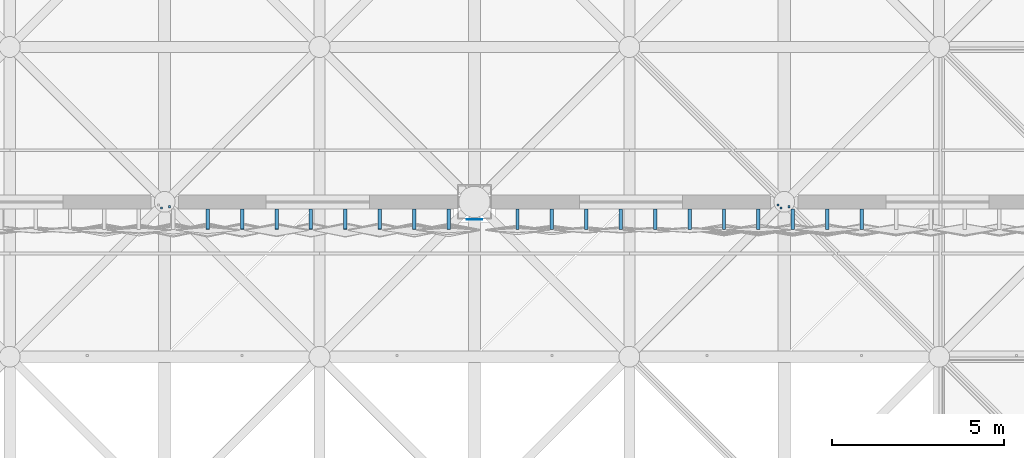
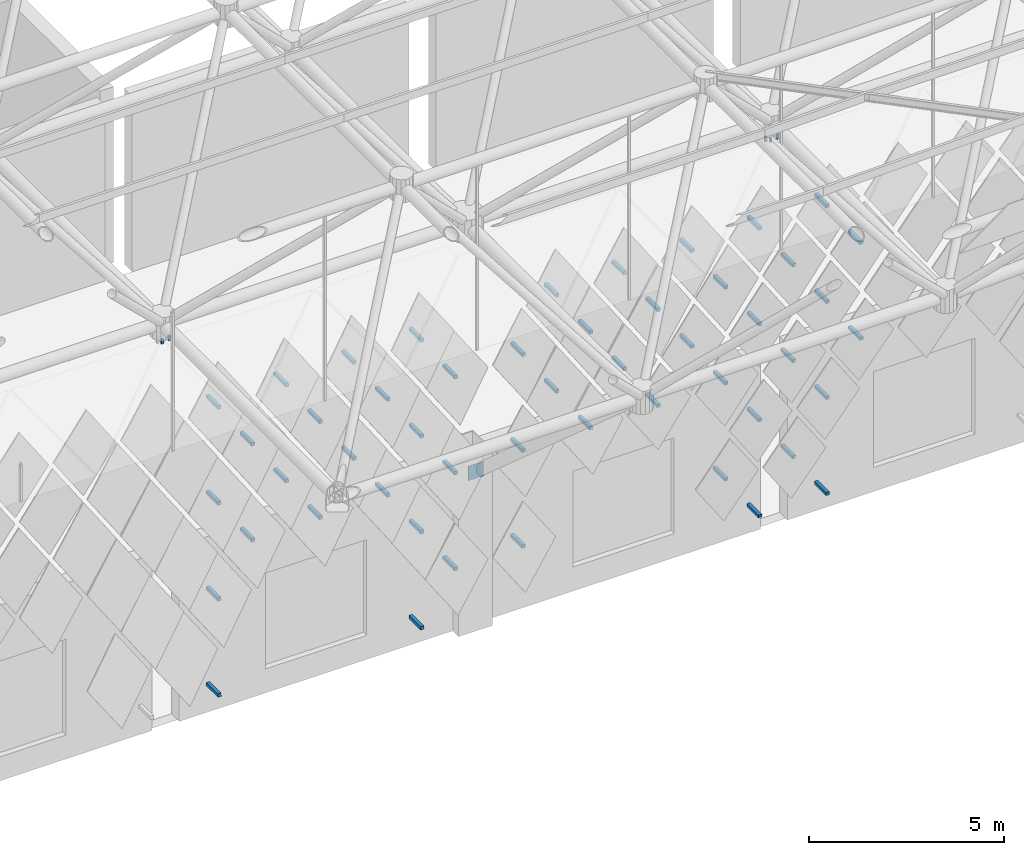
# One storey, part 370 of 437: 56 discrete accessories.
"""IFC4 building model written with IfcOpenShell, lengths in metres."""

from ifc_helpers import new_model, si_unit, direction, frame, origin, place, context, subcontext, project, spatial, polyline, outline, extrude, material, layer, layer_set, type_object, element, save


model = new_model("IFC4")

# Units and contexts
model_context = context("Model", 3, precision=1e-05, world=origin(), true_north=direction((0.0, 1.0)))
body_context = subcontext(model_context, "Body", "Model", "MODEL_VIEW")
ifc_project = project(units=[si_unit("LENGTHUNIT", "METRE"), si_unit("AREAUNIT", "SQUARE_METRE"), si_unit("VOLUMEUNIT", "CUBIC_METRE"), si_unit("PLANEANGLEUNIT", "RADIAN"), si_unit("MASSUNIT", "GRAM", prefix="KILO")], contexts=[model_context])

# Site, building, storey
site_placement = place(None, origin())
site = spatial("IfcSite", under=ifc_project, at=site_placement, CompositionType="ELEMENT")
building_placement = place(site_placement, origin())
building = spatial("IfcBuilding", under=site, at=building_placement, Name="Opaline Strait Convention Centre", CompositionType="ELEMENT")
storey_placement = place(building_placement, frame((0.0, 0.0, 11.5)))
storey = spatial("IfcBuildingStorey", under=building, at=storey_placement, Name="L02", CompositionType="ELEMENT", Elevation=11.5)

# Discrete accessories
ifc_material_1 = material(Name="Structural steel Q355B", Category="steel")
ifc_layer = layer(ifc_material_1, 0.01611328125)
ifc_layer_set = layer_set([ifc_layer], Name="Structural steel Q355B")
discrete_accessory_type_1 = type_object("IfcDiscreteAccessoryType", Name="Prop bearing plate 450 x 450 x 16", PredefinedType="ANCHORPLATE", material=ifc_layer_set)
discrete_accessory_1_placement = place(storey_placement, frame((0.0, 0.0, 4.7890625)))
element("IfcDiscreteAccessory", 1, at=discrete_accessory_1_placement, inside=storey, type_object=discrete_accessory_type_1, Name="Prop bearing plate 207/54 S", PredefinedType="ANCHORPLATE", context=body_context, shape_type="SweptSolid", body=[
    extrude(outline(polyline([(206.77490234375, 53.48388671875), (207.22509765625, 53.48388671875), (207.22509765625, 53.5), (206.77490234375, 53.5), (206.77490234375, 53.48388671875)])), origin(), (0.0, 0.0, 1.0), 0.449951171875),
])
ifc_material_2 = material(Name="Steel Q355B", Category="steel")
discrete_accessory_type_2 = type_object("IfcDiscreteAccessoryType", Name="Soffit hanger 60x60 steel", PredefinedType="BRACKET", material=ifc_material_2)
discrete_accessory_2_placement = place(storey_placement, frame((0.0, 0.0, 11.989990234375)))
element("IfcDiscreteAccessory", 2, at=discrete_accessory_2_placement, inside=storey, type_object=discrete_accessory_type_2, Name="Soffit hanger", PredefinedType="BRACKET", context=body_context, shape_type="SweptSolid", body=[
    extrude(outline(polyline([(197.880859375, 53.791015625), (197.940673828125, 53.791015625), (197.940673828125, 53.85107421875), (197.880859375, 53.85107421875), (197.880859375, 53.791015625)])), origin(), (0.0, 0.0, 1.0), 0.14990234375),
])
discrete_accessory_3_placement = place(storey_placement, frame((0.0, 0.0, 11.989990234375)))
element("IfcDiscreteAccessory", 3, at=discrete_accessory_3_placement, inside=storey, type_object=discrete_accessory_type_2, Name="Soffit hanger", PredefinedType="BRACKET", context=body_context, shape_type="SweptSolid", body=[
    extrude(outline(polyline([(198.111328125, 53.82861328125), (198.17138671875, 53.82861328125), (198.17138671875, 53.888671875), (198.111328125, 53.888671875), (198.111328125, 53.82861328125)])), origin(), (0.0, 0.0, 1.0), 0.14990234375),
])
discrete_accessory_4_placement = place(storey_placement, frame((0.0, 0.0, 11.990234375)))
element("IfcDiscreteAccessory", 4, at=discrete_accessory_4_placement, inside=storey, type_object=discrete_accessory_type_2, Name="Soffit hanger", PredefinedType="BRACKET", context=body_context, shape_type="SweptSolid", body=[
    extrude(outline(polyline([(215.880859375, 53.791015625), (215.940673828125, 53.791015625), (215.940673828125, 53.85107421875), (215.880859375, 53.85107421875), (215.880859375, 53.791015625)])), origin(), (0.0, 0.0, 1.0), 0.149658203125),
])
discrete_accessory_5_placement = place(storey_placement, frame((0.0, 0.0, 11.989990234375)))
element("IfcDiscreteAccessory", 5, at=discrete_accessory_5_placement, inside=storey, type_object=discrete_accessory_type_2, Name="Soffit hanger", PredefinedType="BRACKET", context=body_context, shape_type="SweptSolid", body=[
    extrude(outline(polyline([(215.791015625, 53.880859375), (215.85107421875, 53.880859375), (215.85107421875, 53.940673828125), (215.791015625, 53.940673828125), (215.791015625, 53.880859375)])), origin(), (0.0, 0.0, 1.0), 0.14990234375),
])
discrete_accessory_6_placement = place(storey_placement, frame((0.0, 0.0, 11.990234375)))
element("IfcDiscreteAccessory", 6, at=discrete_accessory_6_placement, inside=storey, type_object=discrete_accessory_type_2, Name="Soffit hanger", PredefinedType="BRACKET", context=body_context, shape_type="SweptSolid", body=[
    extrude(outline(polyline([(216.111328125, 53.82861328125), (216.17138671875, 53.82861328125), (216.17138671875, 53.888671875), (216.111328125, 53.888671875), (216.111328125, 53.82861328125)])), origin(), (0.0, 0.0, 1.0), 0.149658203125),
])
discrete_accessory_type_3 = type_object("IfcDiscreteAccessoryType", Name="Tile bracket 100x100 steel", PredefinedType="BRACKET", material=ifc_material_2)
discrete_accessory_7_placement = place(storey_placement, frame((199.199951171875, 53.800048828125, 0.89208984375), z_axis=(1.0, 0.0, 0.0), x_axis=(0.0, 1.0, 0.0)))
element("IfcDiscreteAccessory", 7, at=discrete_accessory_7_placement, inside=storey, type_object=discrete_accessory_type_3, Name="Tile bracket XT16 S", PredefinedType="BRACKET", context=body_context, shape_type="SweptSolid", body=[
    extrude(outline(polyline([(0.0, -0.050048828125), (0.0, 0.050048828125), (-0.593017578125, 0.050048828125), (-0.60693359375, -0.050048828125), (0.0, -0.050048828125)])), origin(), (0.0, 0.0, 1.0), 0.10009765625),
])
discrete_accessory_8_placement = place(storey_placement, frame((205.199951171875, 53.800048828125, 0.89208984375), z_axis=(1.0, 0.0, 0.0), x_axis=(0.0, 1.0, 0.0)))
element("IfcDiscreteAccessory", 8, at=discrete_accessory_8_placement, inside=storey, type_object=discrete_accessory_type_3, Name="Tile bracket XT06 S", PredefinedType="BRACKET", context=body_context, shape_type="SweptSolid", body=[
    extrude(outline(polyline([(0.0, -0.050048828125), (0.0, 0.050048828125), (-0.597412109375, 0.050048828125), (-0.6025390625, -0.050048828125), (0.0, -0.050048828125)])), origin(), (0.0, 0.0, 1.0), 0.10009765625),
])
discrete_accessory_9_placement = place(storey_placement, frame((215.199951171875, 53.800048828125, 0.89208984375), z_axis=(1.0, 0.0, 0.0), x_axis=(0.0, 1.0, 0.0)))
element("IfcDiscreteAccessory", 9, at=discrete_accessory_9_placement, inside=storey, type_object=discrete_accessory_type_3, Name="Tile bracket XT15 S", PredefinedType="BRACKET", context=body_context, shape_type="SweptSolid", body=[
    extrude(outline(polyline([(0.0, -0.050048828125), (0.0, 0.050048828125), (-0.606689453125, 0.050048828125), (-0.593505859375, -0.050048828125), (0.0, -0.050048828125)])), origin(), (0.0, 0.0, 1.0), 0.10009765625),
])
discrete_accessory_10_placement = place(storey_placement, frame((217.199951171875, 53.800048828125, 0.89208984375), z_axis=(1.0, 0.0, 0.0), x_axis=(0.0, 1.0, 0.0)))
element("IfcDiscreteAccessory", 10, at=discrete_accessory_10_placement, inside=storey, type_object=discrete_accessory_type_3, Name="Tile bracket XT14 S", PredefinedType="BRACKET", context=body_context, shape_type="SweptSolid", body=[
    extrude(outline(polyline([(0.0, -0.050048828125), (0.0, 0.050048828125), (-0.606201171875, 0.050048828125), (-0.59375, -0.050048828125), (0.0, -0.050048828125)])), origin(), (0.0, 0.0, 1.0), 0.10009765625),
])
discrete_accessory_11_placement = place(storey_placement, frame((206.199951171875, 53.800048828125, 2.39208984375), z_axis=(1.0, 0.0, 0.0), x_axis=(0.0, 1.0, 0.0)))
element("IfcDiscreteAccessory", 11, at=discrete_accessory_11_placement, inside=storey, type_object=discrete_accessory_type_3, Name="Tile bracket XT06 S", PredefinedType="BRACKET", context=body_context, shape_type="SweptSolid", body=[
    extrude(outline(polyline([(0.0, -0.050048828125), (0.0, 0.050048828125), (-0.597412109375, 0.050048828125), (-0.6025390625, -0.050048828125), (0.0, -0.050048828125)])), origin(), (0.0, 0.0, 1.0), 0.10009765625),
])
discrete_accessory_12_placement = place(storey_placement, frame((208.199951171875, 53.800048828125, 2.39208984375), z_axis=(1.0, 0.0, 0.0), x_axis=(0.0, 1.0, 0.0)))
element("IfcDiscreteAccessory", 12, at=discrete_accessory_12_placement, inside=storey, type_object=discrete_accessory_type_3, Name="Tile bracket XT05 S", PredefinedType="BRACKET", context=body_context, shape_type="SweptSolid", body=[
    extrude(outline(polyline([(0.0, -0.050048828125), (0.0, 0.050048828125), (-0.597900390625, 0.050048828125), (-0.602294921875, -0.050048828125), (0.0, -0.050048828125)])), origin(), (0.0, 0.0, 1.0), 0.10009765625),
])
discrete_accessory_13_placement = place(storey_placement, frame((214.199951171875, 53.800048828125, 2.39208984375), z_axis=(1.0, 0.0, 0.0), x_axis=(0.0, 1.0, 0.0)))
element("IfcDiscreteAccessory", 13, at=discrete_accessory_13_placement, inside=storey, type_object=discrete_accessory_type_3, Name="Tile bracket XT13 S", PredefinedType="BRACKET", context=body_context, shape_type="SweptSolid", body=[
    extrude(outline(polyline([(0.0, -0.050048828125), (0.0, 0.050048828125), (-0.605712890625, 0.050048828125), (-0.59423828125, -0.050048828125), (0.0, -0.050048828125)])), origin(), (0.0, 0.0, 1.0), 0.10009765625),
])
discrete_accessory_14_placement = place(storey_placement, frame((216.199951171875, 53.800048828125, 2.39208984375), z_axis=(1.0, 0.0, 0.0), x_axis=(0.0, 1.0, 0.0)))
element("IfcDiscreteAccessory", 14, at=discrete_accessory_14_placement, inside=storey, type_object=discrete_accessory_type_3, Name="Tile bracket XT14 S", PredefinedType="BRACKET", context=body_context, shape_type="SweptSolid", body=[
    extrude(outline(polyline([(0.0, -0.050048828125), (0.0, 0.050048828125), (-0.606201171875, 0.050048828125), (-0.59375, -0.050048828125), (0.0, -0.050048828125)])), origin(), (0.0, 0.0, 1.0), 0.10009765625),
])
discrete_accessory_15_placement = place(storey_placement, frame((199.199951171875, 53.800048828125, 3.89208984375), z_axis=(1.0, 0.0, 0.0), x_axis=(0.0, 1.0, 0.0)))
element("IfcDiscreteAccessory", 15, at=discrete_accessory_15_placement, inside=storey, type_object=discrete_accessory_type_3, Name="Tile bracket XT16 S", PredefinedType="BRACKET", context=body_context, shape_type="SweptSolid", body=[
    extrude(outline(polyline([(0.0, -0.050048828125), (0.0, 0.050048828125), (-0.593017578125, 0.050048828125), (-0.60693359375, -0.050048828125), (0.0, -0.050048828125)])), origin(), (0.0, 0.0, 1.0), 0.10009765625),
])
discrete_accessory_16_placement = place(storey_placement, frame((205.199951171875, 53.800048828125, 3.89208984375), z_axis=(1.0, 0.0, 0.0), x_axis=(0.0, 1.0, 0.0)))
element("IfcDiscreteAccessory", 16, at=discrete_accessory_16_placement, inside=storey, type_object=discrete_accessory_type_3, Name="Tile bracket XT11 S", PredefinedType="BRACKET", context=body_context, shape_type="SweptSolid", body=[
    extrude(outline(polyline([(0.0, -0.050048828125), (0.0, 0.050048828125), (-0.59521484375, 0.050048828125), (-0.604736328125, -0.050048828125), (0.0, -0.050048828125)])), origin(), (0.0, 0.0, 1.0), 0.10009765625),
])
discrete_accessory_17_placement = place(storey_placement, frame((215.199951171875, 53.800048828125, 3.89208984375), z_axis=(1.0, 0.0, 0.0), x_axis=(0.0, 1.0, 0.0)))
element("IfcDiscreteAccessory", 17, at=discrete_accessory_17_placement, inside=storey, type_object=discrete_accessory_type_3, Name="Tile bracket XT13 S", PredefinedType="BRACKET", context=body_context, shape_type="SweptSolid", body=[
    extrude(outline(polyline([(0.0, -0.050048828125), (0.0, 0.050048828125), (-0.605712890625, 0.050048828125), (-0.59423828125, -0.050048828125), (0.0, -0.050048828125)])), origin(), (0.0, 0.0, 1.0), 0.10009765625),
])
discrete_accessory_18_placement = place(storey_placement, frame((217.199951171875, 53.800048828125, 3.89208984375), z_axis=(1.0, 0.0, 0.0), x_axis=(0.0, 1.0, 0.0)))
element("IfcDiscreteAccessory", 18, at=discrete_accessory_18_placement, inside=storey, type_object=discrete_accessory_type_3, Name="Tile bracket XT14 S", PredefinedType="BRACKET", context=body_context, shape_type="SweptSolid", body=[
    extrude(outline(polyline([(0.0, -0.050048828125), (0.0, 0.050048828125), (-0.606201171875, 0.050048828125), (-0.59375, -0.050048828125), (0.0, -0.050048828125)])), origin(), (0.0, 0.0, 1.0), 0.10009765625),
])
for number, where, z_axis, x_axis, name in (
    (19, (200.199951171875, 53.800048828125, 5.39208984375), (1.0, 0.0, 0.0), (0.0, 1.0, 0.0), "Tile bracket XT16 S"),
    (20, (202.199951171875, 53.800048828125, 5.39208984375), (1.0, 0.0, 0.0), (0.0, 1.0, 0.0), "Tile bracket XT16 S"),
):
    element("IfcDiscreteAccessory", number, at=place(storey_placement, frame(where, z_axis=z_axis, x_axis=x_axis)), inside=storey, type_object=discrete_accessory_type_3, Name=name, PredefinedType="BRACKET", context=body_context, shape_type="SweptSolid", body=[
        extrude(outline(polyline([(0.0, -0.050048828125), (0.0, 0.050048828125), (-0.593017578125, 0.050048828125), (-0.60693359375, -0.050048828125), (0.0, -0.050048828125)])), origin(), (0.0, 0.0, 1.0), 0.10009765625),
    ])
discrete_accessory_19_placement = place(storey_placement, frame((204.199951171875, 53.800048828125, 5.39208984375), z_axis=(1.0, 0.0, 0.0), x_axis=(0.0, 1.0, 0.0)))
element("IfcDiscreteAccessory", 21, at=discrete_accessory_19_placement, inside=storey, type_object=discrete_accessory_type_3, Name="Tile bracket XT14 S", PredefinedType="BRACKET", context=body_context, shape_type="SweptSolid", body=[
    extrude(outline(polyline([(0.0, -0.050048828125), (0.0, 0.050048828125), (-0.59375, 0.050048828125), (-0.606201171875, -0.050048828125), (0.0, -0.050048828125)])), origin(), (0.0, 0.0, 1.0), 0.10009765625),
])
discrete_accessory_20_placement = place(storey_placement, frame((206.199951171875, 53.800048828125, 5.39208984375), z_axis=(1.0, 0.0, 0.0), x_axis=(0.0, 1.0, 0.0)))
element("IfcDiscreteAccessory", 22, at=discrete_accessory_20_placement, inside=storey, type_object=discrete_accessory_type_3, Name="Tile bracket XT11 S", PredefinedType="BRACKET", context=body_context, shape_type="SweptSolid", body=[
    extrude(outline(polyline([(0.0, -0.050048828125), (0.0, 0.050048828125), (-0.59521484375, 0.050048828125), (-0.604736328125, -0.050048828125), (0.0, -0.050048828125)])), origin(), (0.0, 0.0, 1.0), 0.10009765625),
])
discrete_accessory_21_placement = place(storey_placement, frame((208.199951171875, 53.800048828125, 5.39208984375), z_axis=(1.0, 0.0, 0.0), x_axis=(0.0, 1.0, 0.0)))
element("IfcDiscreteAccessory", 23, at=discrete_accessory_21_placement, inside=storey, type_object=discrete_accessory_type_3, Name="Tile bracket XT06 S", PredefinedType="BRACKET", context=body_context, shape_type="SweptSolid", body=[
    extrude(outline(polyline([(0.0, -0.050048828125), (0.0, 0.050048828125), (-0.597412109375, 0.050048828125), (-0.6025390625, -0.050048828125), (0.0, -0.050048828125)])), origin(), (0.0, 0.0, 1.0), 0.10009765625),
])
discrete_accessory_22_placement = place(storey_placement, frame((210.199951171875, 53.800048828125, 5.39208984375), z_axis=(1.0, 0.0, 0.0), x_axis=(0.0, 1.0, 0.0)))
element("IfcDiscreteAccessory", 24, at=discrete_accessory_22_placement, inside=storey, type_object=discrete_accessory_type_3, Name="Tile bracket XT05 S", PredefinedType="BRACKET", context=body_context, shape_type="SweptSolid", body=[
    extrude(outline(polyline([(0.0, -0.050048828125), (0.0, 0.050048828125), (-0.597900390625, 0.050048828125), (-0.602294921875, -0.050048828125), (0.0, -0.050048828125)])), origin(), (0.0, 0.0, 1.0), 0.10009765625),
])
discrete_accessory_23_placement = place(storey_placement, frame((212.199951171875, 53.800048828125, 5.39208984375), z_axis=(1.0, 0.0, 0.0), x_axis=(0.0, 1.0, 0.0)))
element("IfcDiscreteAccessory", 25, at=discrete_accessory_23_placement, inside=storey, type_object=discrete_accessory_type_3, Name="Tile bracket XT05 S", PredefinedType="BRACKET", context=body_context, shape_type="SweptSolid", body=[
    extrude(outline(polyline([(0.0, -0.050048828125), (0.0, 0.050048828125), (-0.602294921875, 0.050048828125), (-0.597900390625, -0.050048828125), (0.0, -0.050048828125)])), origin(), (0.0, 0.0, 1.0), 0.10009765625),
])
discrete_accessory_24_placement = place(storey_placement, frame((214.199951171875, 53.800048828125, 5.39208984375), z_axis=(1.0, 0.0, 0.0), x_axis=(0.0, 1.0, 0.0)))
element("IfcDiscreteAccessory", 26, at=discrete_accessory_24_placement, inside=storey, type_object=discrete_accessory_type_3, Name="Tile bracket XT09 S", PredefinedType="BRACKET", context=body_context, shape_type="SweptSolid", body=[
    extrude(outline(polyline([(0.0, -0.050048828125), (0.0, 0.050048828125), (-0.60400390625, 0.050048828125), (-0.595947265625, -0.050048828125), (0.0, -0.050048828125)])), origin(), (0.0, 0.0, 1.0), 0.10009765625),
])
discrete_accessory_25_placement = place(storey_placement, frame((216.199951171875, 53.800048828125, 5.39208984375), z_axis=(1.0, 0.0, 0.0), x_axis=(0.0, 1.0, 0.0)))
element("IfcDiscreteAccessory", 27, at=discrete_accessory_25_placement, inside=storey, type_object=discrete_accessory_type_3, Name="Tile bracket XT12 S", PredefinedType="BRACKET", context=body_context, shape_type="SweptSolid", body=[
    extrude(outline(polyline([(0.0, -0.050048828125), (0.0, 0.050048828125), (-0.605224609375, 0.050048828125), (-0.5947265625, -0.050048828125), (0.0, -0.050048828125)])), origin(), (0.0, 0.0, 1.0), 0.10009765625),
])
discrete_accessory_26_placement = place(storey_placement, frame((218.199951171875, 53.800048828125, 5.39208984375), z_axis=(1.0, 0.0, 0.0), x_axis=(0.0, 1.0, 0.0)))
element("IfcDiscreteAccessory", 28, at=discrete_accessory_26_placement, inside=storey, type_object=discrete_accessory_type_3, Name="Tile bracket XT14 S", PredefinedType="BRACKET", context=body_context, shape_type="SweptSolid", body=[
    extrude(outline(polyline([(0.0, -0.050048828125), (0.0, 0.050048828125), (-0.606201171875, 0.050048828125), (-0.59375, -0.050048828125), (0.0, -0.050048828125)])), origin(), (0.0, 0.0, 1.0), 0.10009765625),
])
discrete_accessory_27_placement = place(storey_placement, frame((199.199951171875, 53.800048828125, 6.89208984375), z_axis=(1.0, 0.0, 0.0), x_axis=(0.0, 1.0, 0.0)))
element("IfcDiscreteAccessory", 29, at=discrete_accessory_27_placement, inside=storey, type_object=discrete_accessory_type_3, Name="Tile bracket XT13 S", PredefinedType="BRACKET", context=body_context, shape_type="SweptSolid", body=[
    extrude(outline(polyline([(0.0, -0.050048828125), (0.0, 0.050048828125), (-0.59423828125, 0.050048828125), (-0.605712890625, -0.050048828125), (0.0, -0.050048828125)])), origin(), (0.0, 0.0, 1.0), 0.10009765625),
])
discrete_accessory_28_placement = place(storey_placement, frame((201.199951171875, 53.800048828125, 6.89208984375), z_axis=(1.0, 0.0, 0.0), x_axis=(0.0, 1.0, 0.0)))
element("IfcDiscreteAccessory", 30, at=discrete_accessory_28_placement, inside=storey, type_object=discrete_accessory_type_3, Name="Tile bracket XT15 S", PredefinedType="BRACKET", context=body_context, shape_type="SweptSolid", body=[
    extrude(outline(polyline([(0.0, -0.050048828125), (0.0, 0.050048828125), (-0.593505859375, 0.050048828125), (-0.606689453125, -0.050048828125), (0.0, -0.050048828125)])), origin(), (0.0, 0.0, 1.0), 0.10009765625),
])
discrete_accessory_29_placement = place(storey_placement, frame((203.199951171875, 53.800048828125, 6.89208984375), z_axis=(1.0, 0.0, 0.0), x_axis=(0.0, 1.0, 0.0)))
element("IfcDiscreteAccessory", 31, at=discrete_accessory_29_placement, inside=storey, type_object=discrete_accessory_type_3, Name="Tile bracket XT16 S", PredefinedType="BRACKET", context=body_context, shape_type="SweptSolid", body=[
    extrude(outline(polyline([(0.0, -0.050048828125), (0.0, 0.050048828125), (-0.593017578125, 0.050048828125), (-0.60693359375, -0.050048828125), (0.0, -0.050048828125)])), origin(), (0.0, 0.0, 1.0), 0.10009765625),
])
discrete_accessory_30_placement = place(storey_placement, frame((205.199951171875, 53.800048828125, 6.89208984375), z_axis=(1.0, 0.0, 0.0), x_axis=(0.0, 1.0, 0.0)))
element("IfcDiscreteAccessory", 32, at=discrete_accessory_30_placement, inside=storey, type_object=discrete_accessory_type_3, Name="Tile bracket XT15 S", PredefinedType="BRACKET", context=body_context, shape_type="SweptSolid", body=[
    extrude(outline(polyline([(0.0, -0.050048828125), (0.0, 0.050048828125), (-0.593505859375, 0.050048828125), (-0.606689453125, -0.050048828125), (0.0, -0.050048828125)])), origin(), (0.0, 0.0, 1.0), 0.10009765625),
])
discrete_accessory_31_placement = place(storey_placement, frame((209.199951171875, 53.800048828125, 6.89208984375), z_axis=(1.0, 0.0, 0.0), x_axis=(0.0, 1.0, 0.0)))
element("IfcDiscreteAccessory", 33, at=discrete_accessory_31_placement, inside=storey, type_object=discrete_accessory_type_3, Name="Tile bracket XT06 S", PredefinedType="BRACKET", context=body_context, shape_type="SweptSolid", body=[
    extrude(outline(polyline([(0.0, -0.050048828125), (0.0, 0.050048828125), (-0.597412109375, 0.050048828125), (-0.6025390625, -0.050048828125), (0.0, -0.050048828125)])), origin(), (0.0, 0.0, 1.0), 0.10009765625),
])
discrete_accessory_32_placement = place(storey_placement, frame((211.199951171875, 53.800048828125, 6.89208984375), z_axis=(1.0, 0.0, 0.0), x_axis=(0.0, 1.0, 0.0)))
element("IfcDiscreteAccessory", 34, at=discrete_accessory_32_placement, inside=storey, type_object=discrete_accessory_type_3, Name="Tile bracket XT05 S", PredefinedType="BRACKET", context=body_context, shape_type="SweptSolid", body=[
    extrude(outline(polyline([(0.0, -0.050048828125), (0.0, 0.050048828125), (-0.597900390625, 0.050048828125), (-0.602294921875, -0.050048828125), (0.0, -0.050048828125)])), origin(), (0.0, 0.0, 1.0), 0.10009765625),
])
discrete_accessory_33_placement = place(storey_placement, frame((213.199951171875, 53.800048828125, 6.89208984375), z_axis=(1.0, 0.0, 0.0), x_axis=(0.0, 1.0, 0.0)))
element("IfcDiscreteAccessory", 35, at=discrete_accessory_33_placement, inside=storey, type_object=discrete_accessory_type_3, Name="Tile bracket XT05 S", PredefinedType="BRACKET", context=body_context, shape_type="SweptSolid", body=[
    extrude(outline(polyline([(0.0, -0.050048828125), (0.0, 0.050048828125), (-0.602294921875, 0.050048828125), (-0.597900390625, -0.050048828125), (0.0, -0.050048828125)])), origin(), (0.0, 0.0, 1.0), 0.10009765625),
])
discrete_accessory_34_placement = place(storey_placement, frame((215.199951171875, 53.800048828125, 6.89208984375), z_axis=(1.0, 0.0, 0.0), x_axis=(0.0, 1.0, 0.0)))
element("IfcDiscreteAccessory", 36, at=discrete_accessory_34_placement, inside=storey, type_object=discrete_accessory_type_3, Name="Tile bracket XT09 S", PredefinedType="BRACKET", context=body_context, shape_type="SweptSolid", body=[
    extrude(outline(polyline([(0.0, -0.050048828125), (0.0, 0.050048828125), (-0.60400390625, 0.050048828125), (-0.595947265625, -0.050048828125), (0.0, -0.050048828125)])), origin(), (0.0, 0.0, 1.0), 0.10009765625),
])
discrete_accessory_35_placement = place(storey_placement, frame((217.199951171875, 53.800048828125, 6.89208984375), z_axis=(1.0, 0.0, 0.0), x_axis=(0.0, 1.0, 0.0)))
element("IfcDiscreteAccessory", 37, at=discrete_accessory_35_placement, inside=storey, type_object=discrete_accessory_type_3, Name="Tile bracket XT11 S", PredefinedType="BRACKET", context=body_context, shape_type="SweptSolid", body=[
    extrude(outline(polyline([(0.0, -0.050048828125), (0.0, 0.050048828125), (-0.604736328125, 0.050048828125), (-0.59521484375, -0.050048828125), (0.0, -0.050048828125)])), origin(), (0.0, 0.0, 1.0), 0.10009765625),
])
discrete_accessory_36_placement = place(storey_placement, frame((200.199951171875, 53.800048828125, 8.39208984375), z_axis=(1.0, 0.0, 0.0), x_axis=(0.0, 1.0, 0.0)))
element("IfcDiscreteAccessory", 38, at=discrete_accessory_36_placement, inside=storey, type_object=discrete_accessory_type_3, Name="Tile bracket XT13 S", PredefinedType="BRACKET", context=body_context, shape_type="SweptSolid", body=[
    extrude(outline(polyline([(0.0, -0.050048828125), (0.0, 0.050048828125), (-0.59423828125, 0.050048828125), (-0.605712890625, -0.050048828125), (0.0, -0.050048828125)])), origin(), (0.0, 0.0, 1.0), 0.10009765625),
])
discrete_accessory_37_placement = place(storey_placement, frame((202.199951171875, 53.800048828125, 8.39208984375), z_axis=(1.0, 0.0, 0.0), x_axis=(0.0, 1.0, 0.0)))
element("IfcDiscreteAccessory", 39, at=discrete_accessory_37_placement, inside=storey, type_object=discrete_accessory_type_3, Name="Tile bracket XT15 S", PredefinedType="BRACKET", context=body_context, shape_type="SweptSolid", body=[
    extrude(outline(polyline([(0.0, -0.050048828125), (0.0, 0.050048828125), (-0.593505859375, 0.050048828125), (-0.606689453125, -0.050048828125), (0.0, -0.050048828125)])), origin(), (0.0, 0.0, 1.0), 0.10009765625),
])
discrete_accessory_38_placement = place(storey_placement, frame((204.199951171875, 53.800048828125, 8.39208984375), z_axis=(1.0, 0.0, 0.0), x_axis=(0.0, 1.0, 0.0)))
element("IfcDiscreteAccessory", 40, at=discrete_accessory_38_placement, inside=storey, type_object=discrete_accessory_type_3, Name="Tile bracket XT16 S", PredefinedType="BRACKET", context=body_context, shape_type="SweptSolid", body=[
    extrude(outline(polyline([(0.0, -0.050048828125), (0.0, 0.050048828125), (-0.593017578125, 0.050048828125), (-0.60693359375, -0.050048828125), (0.0, -0.050048828125)])), origin(), (0.0, 0.0, 1.0), 0.10009765625),
])
discrete_accessory_39_placement = place(storey_placement, frame((206.199951171875, 53.800048828125, 8.39208984375), z_axis=(1.0, 0.0, 0.0), x_axis=(0.0, 1.0, 0.0)))
element("IfcDiscreteAccessory", 41, at=discrete_accessory_39_placement, inside=storey, type_object=discrete_accessory_type_3, Name="Tile bracket XT15 S", PredefinedType="BRACKET", context=body_context, shape_type="SweptSolid", body=[
    extrude(outline(polyline([(0.0, -0.050048828125), (0.0, 0.050048828125), (-0.593505859375, 0.050048828125), (-0.606689453125, -0.050048828125), (0.0, -0.050048828125)])), origin(), (0.0, 0.0, 1.0), 0.10009765625),
])
discrete_accessory_40_placement = place(storey_placement, frame((208.199951171875, 53.800048828125, 8.39208984375), z_axis=(1.0, 0.0, 0.0), x_axis=(0.0, 1.0, 0.0)))
element("IfcDiscreteAccessory", 42, at=discrete_accessory_40_placement, inside=storey, type_object=discrete_accessory_type_3, Name="Tile bracket XT11 S", PredefinedType="BRACKET", context=body_context, shape_type="SweptSolid", body=[
    extrude(outline(polyline([(0.0, -0.050048828125), (0.0, 0.050048828125), (-0.59521484375, 0.050048828125), (-0.604736328125, -0.050048828125), (0.0, -0.050048828125)])), origin(), (0.0, 0.0, 1.0), 0.10009765625),
])
discrete_accessory_41_placement = place(storey_placement, frame((210.199951171875, 53.800048828125, 8.39208984375), z_axis=(1.0, 0.0, 0.0), x_axis=(0.0, 1.0, 0.0)))
element("IfcDiscreteAccessory", 43, at=discrete_accessory_41_placement, inside=storey, type_object=discrete_accessory_type_3, Name="Tile bracket XT07 S", PredefinedType="BRACKET", context=body_context, shape_type="SweptSolid", body=[
    extrude(outline(polyline([(0.0, -0.050048828125), (0.0, 0.050048828125), (-0.596923828125, 0.050048828125), (-0.60302734375, -0.050048828125), (0.0, -0.050048828125)])), origin(), (0.0, 0.0, 1.0), 0.10009765625),
])
discrete_accessory_42_placement = place(storey_placement, frame((212.199951171875, 53.800048828125, 8.39208984375), z_axis=(1.0, 0.0, 0.0), x_axis=(0.0, 1.0, 0.0)))
element("IfcDiscreteAccessory", 44, at=discrete_accessory_42_placement, inside=storey, type_object=discrete_accessory_type_3, Name="Tile bracket XT05 S", PredefinedType="BRACKET", context=body_context, shape_type="SweptSolid", body=[
    extrude(outline(polyline([(0.0, -0.050048828125), (0.0, 0.050048828125), (-0.597900390625, 0.050048828125), (-0.602294921875, -0.050048828125), (0.0, -0.050048828125)])), origin(), (0.0, 0.0, 1.0), 0.10009765625),
])
discrete_accessory_43_placement = place(storey_placement, frame((214.199951171875, 53.800048828125, 8.39208984375), z_axis=(1.0, 0.0, 0.0), x_axis=(0.0, 1.0, 0.0)))
element("IfcDiscreteAccessory", 45, at=discrete_accessory_43_placement, inside=storey, type_object=discrete_accessory_type_3, Name="Tile bracket XT05 S", PredefinedType="BRACKET", context=body_context, shape_type="SweptSolid", body=[
    extrude(outline(polyline([(0.0, -0.050048828125), (0.0, 0.050048828125), (-0.602294921875, 0.050048828125), (-0.597900390625, -0.050048828125), (0.0, -0.050048828125)])), origin(), (0.0, 0.0, 1.0), 0.10009765625),
])
discrete_accessory_44_placement = place(storey_placement, frame((216.199951171875, 53.800048828125, 8.39208984375), z_axis=(1.0, 0.0, 0.0), x_axis=(0.0, 1.0, 0.0)))
element("IfcDiscreteAccessory", 46, at=discrete_accessory_44_placement, inside=storey, type_object=discrete_accessory_type_3, Name="Tile bracket XT08 S", PredefinedType="BRACKET", context=body_context, shape_type="SweptSolid", body=[
    extrude(outline(polyline([(0.0, -0.050048828125), (0.0, 0.050048828125), (-0.603515625, 0.050048828125), (-0.596435546875, -0.050048828125), (0.0, -0.050048828125)])), origin(), (0.0, 0.0, 1.0), 0.10009765625),
])
discrete_accessory_45_placement = place(storey_placement, frame((218.199951171875, 53.800048828125, 8.39208984375), z_axis=(1.0, 0.0, 0.0), x_axis=(0.0, 1.0, 0.0)))
element("IfcDiscreteAccessory", 47, at=discrete_accessory_45_placement, inside=storey, type_object=discrete_accessory_type_3, Name="Tile bracket XT11 S", PredefinedType="BRACKET", context=body_context, shape_type="SweptSolid", body=[
    extrude(outline(polyline([(0.0, -0.050048828125), (0.0, 0.050048828125), (-0.604736328125, 0.050048828125), (-0.59521484375, -0.050048828125), (0.0, -0.050048828125)])), origin(), (0.0, 0.0, 1.0), 0.10009765625),
])
discrete_accessory_46_placement = place(storey_placement, frame((199.199951171875, 53.800048828125, 9.89208984375), z_axis=(1.0, 0.0, 0.0), x_axis=(0.0, 1.0, 0.0)))
element("IfcDiscreteAccessory", 48, at=discrete_accessory_46_placement, inside=storey, type_object=discrete_accessory_type_3, Name="Tile bracket XT08 S", PredefinedType="BRACKET", context=body_context, shape_type="SweptSolid", body=[
    extrude(outline(polyline([(0.0, -0.050048828125), (0.0, 0.050048828125), (-0.596435546875, 0.050048828125), (-0.603515625, -0.050048828125), (0.0, -0.050048828125)])), origin(), (0.0, 0.0, 1.0), 0.10009765625),
])
discrete_accessory_47_placement = place(storey_placement, frame((201.199951171875, 53.800048828125, 9.89208984375), z_axis=(1.0, 0.0, 0.0), x_axis=(0.0, 1.0, 0.0)))
element("IfcDiscreteAccessory", 49, at=discrete_accessory_47_placement, inside=storey, type_object=discrete_accessory_type_3, Name="Tile bracket XT13 S", PredefinedType="BRACKET", context=body_context, shape_type="SweptSolid", body=[
    extrude(outline(polyline([(0.0, -0.050048828125), (0.0, 0.050048828125), (-0.59423828125, 0.050048828125), (-0.605712890625, -0.050048828125), (0.0, -0.050048828125)])), origin(), (0.0, 0.0, 1.0), 0.10009765625),
])
discrete_accessory_48_placement = place(storey_placement, frame((203.199951171875, 53.800048828125, 9.89208984375), z_axis=(1.0, 0.0, 0.0), x_axis=(0.0, 1.0, 0.0)))
element("IfcDiscreteAccessory", 50, at=discrete_accessory_48_placement, inside=storey, type_object=discrete_accessory_type_3, Name="Tile bracket XT15 S", PredefinedType="BRACKET", context=body_context, shape_type="SweptSolid", body=[
    extrude(outline(polyline([(0.0, -0.050048828125), (0.0, 0.050048828125), (-0.593505859375, 0.050048828125), (-0.606689453125, -0.050048828125), (0.0, -0.050048828125)])), origin(), (0.0, 0.0, 1.0), 0.10009765625),
])
discrete_accessory_49_placement = place(storey_placement, frame((205.199951171875, 53.800048828125, 9.89208984375), z_axis=(1.0, 0.0, 0.0), x_axis=(0.0, 1.0, 0.0)))
element("IfcDiscreteAccessory", 51, at=discrete_accessory_49_placement, inside=storey, type_object=discrete_accessory_type_3, Name="Tile bracket XT16 S", PredefinedType="BRACKET", context=body_context, shape_type="SweptSolid", body=[
    extrude(outline(polyline([(0.0, -0.050048828125), (0.0, 0.050048828125), (-0.593017578125, 0.050048828125), (-0.60693359375, -0.050048828125), (0.0, -0.050048828125)])), origin(), (0.0, 0.0, 1.0), 0.10009765625),
])
discrete_accessory_50_placement = place(storey_placement, frame((209.199951171875, 53.800048828125, 9.89208984375), z_axis=(1.0, 0.0, 0.0), x_axis=(0.0, 1.0, 0.0)))
element("IfcDiscreteAccessory", 52, at=discrete_accessory_50_placement, inside=storey, type_object=discrete_accessory_type_3, Name="Tile bracket XT11 S", PredefinedType="BRACKET", context=body_context, shape_type="SweptSolid", body=[
    extrude(outline(polyline([(0.0, -0.050048828125), (0.0, 0.050048828125), (-0.59521484375, 0.050048828125), (-0.604736328125, -0.050048828125), (0.0, -0.050048828125)])), origin(), (0.0, 0.0, 1.0), 0.10009765625),
])
discrete_accessory_51_placement = place(storey_placement, frame((211.199951171875, 53.800048828125, 9.89208984375), z_axis=(1.0, 0.0, 0.0), x_axis=(0.0, 1.0, 0.0)))
element("IfcDiscreteAccessory", 53, at=discrete_accessory_51_placement, inside=storey, type_object=discrete_accessory_type_3, Name="Tile bracket XT07 S", PredefinedType="BRACKET", context=body_context, shape_type="SweptSolid", body=[
    extrude(outline(polyline([(0.0, -0.050048828125), (0.0, 0.050048828125), (-0.596923828125, 0.050048828125), (-0.60302734375, -0.050048828125), (0.0, -0.050048828125)])), origin(), (0.0, 0.0, 1.0), 0.10009765625),
])
discrete_accessory_52_placement = place(storey_placement, frame((213.199951171875, 53.800048828125, 9.89208984375), z_axis=(1.0, 0.0, 0.0), x_axis=(0.0, 1.0, 0.0)))
element("IfcDiscreteAccessory", 54, at=discrete_accessory_52_placement, inside=storey, type_object=discrete_accessory_type_3, Name="Tile bracket XT05 S", PredefinedType="BRACKET", context=body_context, shape_type="SweptSolid", body=[
    extrude(outline(polyline([(0.0, -0.050048828125), (0.0, 0.050048828125), (-0.597900390625, 0.050048828125), (-0.602294921875, -0.050048828125), (0.0, -0.050048828125)])), origin(), (0.0, 0.0, 1.0), 0.10009765625),
])
discrete_accessory_53_placement = place(storey_placement, frame((215.199951171875, 53.800048828125, 9.89208984375), z_axis=(1.0, 0.0, 0.0), x_axis=(0.0, 1.0, 0.0)))
element("IfcDiscreteAccessory", 55, at=discrete_accessory_53_placement, inside=storey, type_object=discrete_accessory_type_3, Name="Tile bracket XT05 S", PredefinedType="BRACKET", context=body_context, shape_type="SweptSolid", body=[
    extrude(outline(polyline([(0.0, -0.050048828125), (0.0, 0.050048828125), (-0.602294921875, 0.050048828125), (-0.597900390625, -0.050048828125), (0.0, -0.050048828125)])), origin(), (0.0, 0.0, 1.0), 0.10009765625),
])
discrete_accessory_54_placement = place(storey_placement, frame((217.199951171875, 53.800048828125, 9.89208984375), z_axis=(1.0, 0.0, 0.0), x_axis=(0.0, 1.0, 0.0)))
element("IfcDiscreteAccessory", 56, at=discrete_accessory_54_placement, inside=storey, type_object=discrete_accessory_type_3, Name="Tile bracket XT07 S", PredefinedType="BRACKET", context=body_context, shape_type="SweptSolid", body=[
    extrude(outline(polyline([(0.0, -0.050048828125), (0.0, 0.050048828125), (-0.60302734375, 0.050048828125), (-0.596923828125, -0.050048828125), (0.0, -0.050048828125)])), origin(), (0.0, 0.0, 1.0), 0.10009765625),
])

save(model, "model.ifc")
